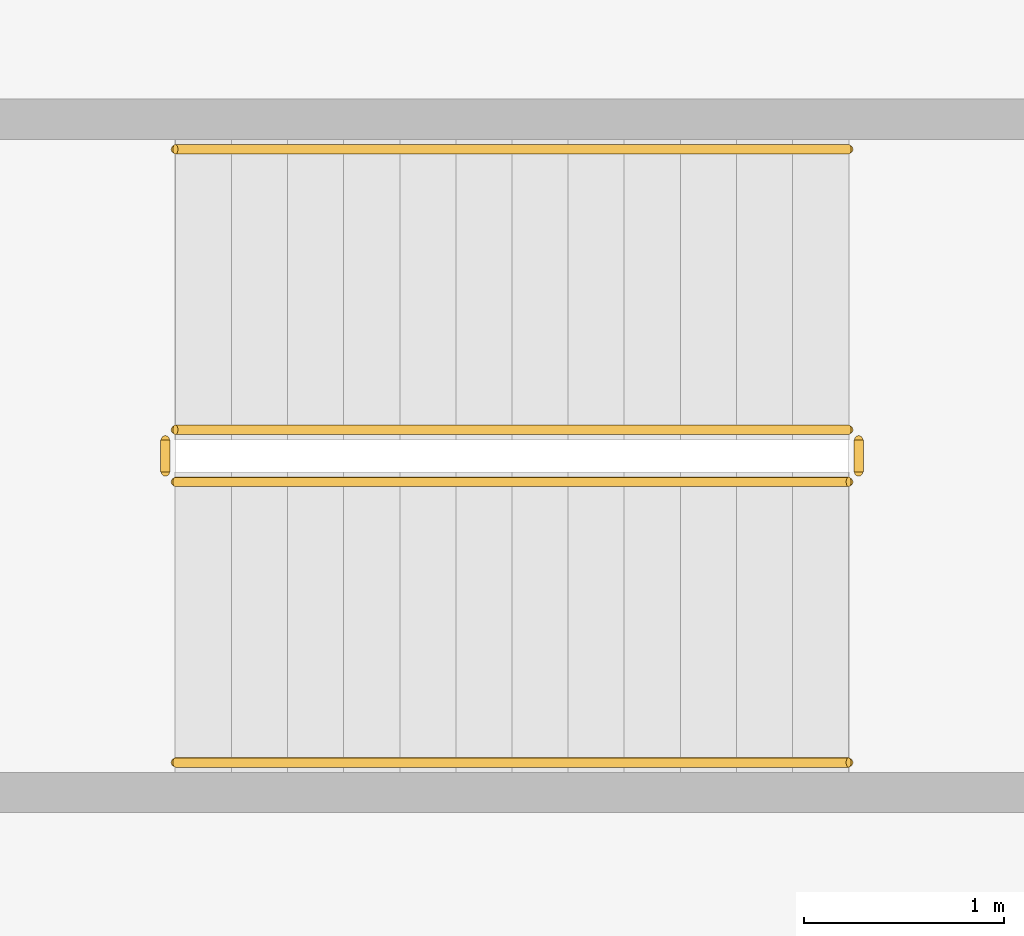
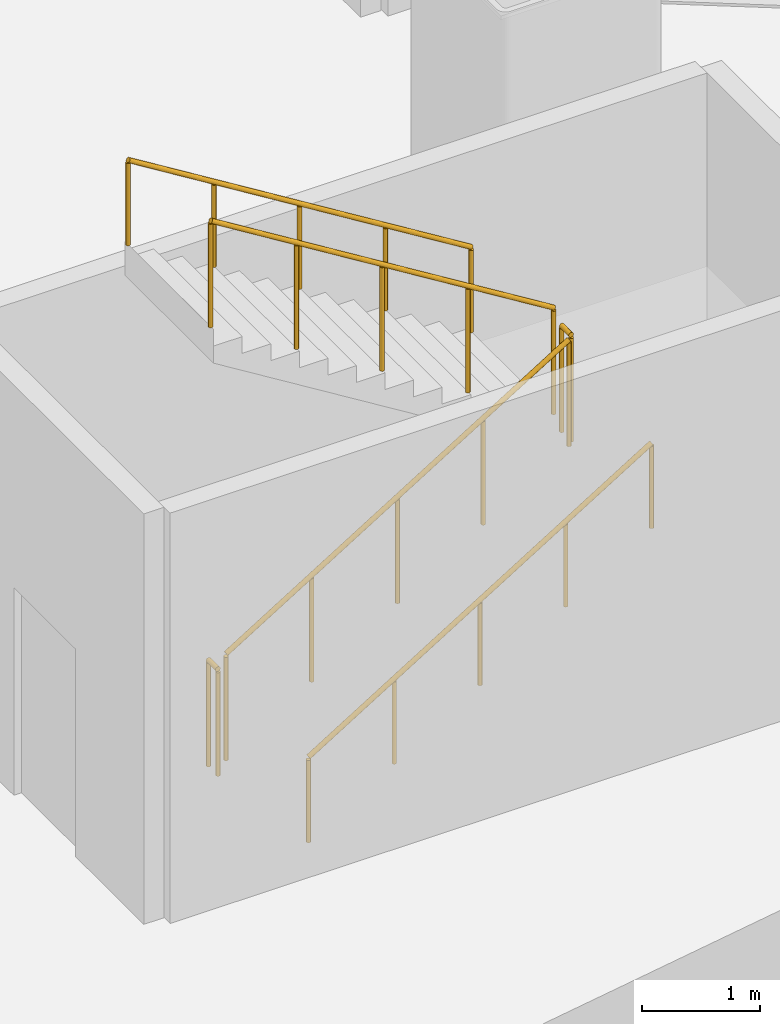
# One storey, part 6 of 10: 6 railings.
"""IFC4 building model written with IfcOpenShell, lengths in metres."""

from ifc_helpers import new_model, si_unit, direction, frame, origin, origin_2d, place, context, subcontext, project, spatial, circle, extrude, material, type_object, element, save


model = new_model("IFC4")

# Units and contexts
model_context = context("Model", 3, precision=1e-05, world=origin(), true_north=direction((0.0, 1.0)))
body_context = subcontext(model_context, "Body", "Model", "MODEL_VIEW")
ifc_project = project(units=[si_unit("LENGTHUNIT", "METRE"), si_unit("AREAUNIT", "SQUARE_METRE"), si_unit("VOLUMEUNIT", "CUBIC_METRE"), si_unit("PLANEANGLEUNIT", "RADIAN"), si_unit("MASSUNIT", "GRAM", prefix="KILO"), si_unit("THERMODYNAMICTEMPERATUREUNIT", "KELVIN")], contexts=[model_context])

# Site, building, storey
site_placement = place(None, origin())
site = spatial("IfcSite", under=ifc_project, at=site_placement, CompositionType="ELEMENT")
building_placement = place(site_placement, origin())
building = spatial("IfcBuilding", under=site, at=building_placement, Name="Kethvar Cultural Tower", CompositionType="ELEMENT")
storey_placement = place(building_placement, frame((0.0, 0.0, -4.5)))
storey = spatial("IfcBuildingStorey", under=building, at=storey_placement, Name="B01", CompositionType="ELEMENT", Elevation=-4.5)

# Railings
ifc_material = material(Name="Steel S355J2", Category="steel")
railing_type_1 = type_object("IfcRailingType", Name="RL-STAIR-GUARD", PredefinedType="BALUSTRADE", material=ifc_material)
railing_1_placement = place(storey_placement, frame((19.5, 9.050048828125, 0.173095703125)))
element("IfcRailing", 1, at=railing_1_placement, inside=storey, type_object=railing_type_1, Name="B01 ST-04 stair guard 1", PredefinedType="BALUSTRADE", context=body_context, shape_type="SweptSolid", body=[
    extrude(circle(Radius=0.02392578125, at=origin_2d()), frame((0.0, 0.0, 1.09619140625), z_axis=(0.850623216509, 0.0, 0.525775754039), x_axis=(0.0, 1.0, 0.0)), (0.0, 0.0, 1.0), 3.9501953125),
    extrude(circle(Radius=0.02099609375, at=origin_2d()), origin(), (0.0, 0.0, 1.0), 1.072021484375),
    extrude(circle(Radius=0.02099609375, at=origin_2d()), frame((0.840087890625, 0.0, 0.519287109375)), (0.0, 0.0, 1.0), 1.072021484375),
    extrude(circle(Radius=0.02099609375, at=origin_2d()), frame((1.68017578125, 0.0, 1.03857421875)), (0.0, 0.0, 1.0), 1.072021484375),
    extrude(circle(Radius=0.02099609375, at=origin_2d()), frame((2.52001953125, 0.0, 1.5576171875)), (0.0, 0.0, 1.0), 1.072021484375),
    extrude(circle(Radius=0.02099609375, at=origin_2d()), frame((3.360107421875, 0.0, 2.076904296875)), (0.0, 0.0, 1.0), 1.072021484375),
])
railing_2_placement = place(storey_placement, frame((22.909912109375, 9.10009765625, 2.25)))
element("IfcRailing", 2, at=railing_2_placement, inside=storey, type_object=railing_type_1, Name="B01 ST-04 stair guard 2", PredefinedType="BALUSTRADE", context=body_context, shape_type="SweptSolid", body=[
    extrude(circle(Radius=0.02392578125, at=origin_2d()), frame((0.0, 0.0, 1.09619140625), z_axis=(0.0, 1.0, 0.0), x_axis=(-1.0, 0.0, 0.0)), (0.0, 0.0, 1.0), 0.159912109375),
    extrude(circle(Radius=0.02099609375, at=origin_2d()), origin(), (0.0, 0.0, 1.0), 1.072021484375),
    extrude(circle(Radius=0.02099609375, at=origin_2d()), frame((0.0, 0.159912109375, 0.0)), (0.0, 0.0, 1.0), 1.072021484375),
])
railing_3_placement = place(storey_placement, frame((22.860107421875, 9.31005859375, 2.423095703125)))
element("IfcRailing", 3, at=railing_3_placement, inside=storey, type_object=railing_type_1, Name="B01 ST-04 stair guard 3", PredefinedType="BALUSTRADE", context=body_context, shape_type="SweptSolid", body=[
    extrude(circle(Radius=0.02392578125, at=origin_2d()), frame((0.0, 0.0, 1.09619140625), z_axis=(-0.850623216509, 0.0, 0.525775754039), x_axis=(0.0, -1.0, 0.0)), (0.0, 0.0, 1.0), 3.9501953125),
    extrude(circle(Radius=0.02099609375, at=origin_2d()), origin(), (0.0, 0.0, 1.0), 1.072021484375),
    extrude(circle(Radius=0.02099609375, at=origin_2d()), frame((-0.840087890625, 0.0, 0.519287109375)), (0.0, 0.0, 1.0), 1.072021484375),
    extrude(circle(Radius=0.02099609375, at=origin_2d()), frame((-1.68017578125, 0.0, 1.03857421875)), (0.0, 0.0, 1.0), 1.072021484375),
    extrude(circle(Radius=0.02099609375, at=origin_2d()), frame((-2.52001953125, 0.0, 1.5576171875)), (0.0, 0.0, 1.0), 1.072021484375),
    extrude(circle(Radius=0.02099609375, at=origin_2d()), frame((-3.360107421875, 0.0, 2.076904296875)), (0.0, 0.0, 1.0), 1.072021484375),
])
railing_4_placement = place(storey_placement, frame((19.449951171875, 9.10009765625, 0.0)))
element("IfcRailing", 4, at=railing_4_placement, inside=storey, type_object=railing_type_1, Name="B01 ST-04 stair guard 4", PredefinedType="BALUSTRADE", context=body_context, shape_type="SweptSolid", body=[
    extrude(circle(Radius=0.02392578125, at=origin_2d()), frame((0.0, 0.0, 1.09619140625), z_axis=(0.0, 1.0, 0.0), x_axis=(-1.0, 0.0, 0.0)), (0.0, 0.0, 1.0), 0.159912109375),
    extrude(circle(Radius=0.02099609375, at=origin_2d()), origin(), (0.0, 0.0, 1.0), 1.072021484375),
    extrude(circle(Radius=0.02099609375, at=origin_2d()), frame((0.0, 0.159912109375, 0.0)), (0.0, 0.0, 1.0), 1.072021484375),
])
railing_type_2 = type_object("IfcRailingType", Name="RL-STAIR-HANDRAIL", PredefinedType="HANDRAIL", material=ifc_material)
railing_5_placement = place(storey_placement, frame((19.5, 7.64990234375, 0.173095703125)))
element("IfcRailing", 5, at=railing_5_placement, inside=storey, type_object=railing_type_2, Name="B01 ST-04 stair handrail 1", PredefinedType="HANDRAIL", context=body_context, shape_type="SweptSolid", body=[
    extrude(circle(Radius=0.02392578125, at=origin_2d()), frame((0.0, 0.0, 0.8759765625), z_axis=(0.850623216509, 0.0, 0.525775754039), x_axis=(0.0, 1.0, 0.0)), (0.0, 0.0, 1.0), 3.9501953125),
    extrude(circle(Radius=0.02099609375, at=origin_2d()), origin(), (0.0, 0.0, 1.0), 0.851806640625),
    extrude(circle(Radius=0.02099609375, at=origin_2d()), frame((0.840087890625, 0.0, 0.519287109375)), (0.0, 0.0, 1.0), 0.851806640625),
    extrude(circle(Radius=0.02099609375, at=origin_2d()), frame((1.68017578125, 0.0, 1.03857421875)), (0.0, 0.0, 1.0), 0.851806640625),
    extrude(circle(Radius=0.02099609375, at=origin_2d()), frame((2.52001953125, 0.0, 1.5576171875)), (0.0, 0.0, 1.0), 0.851806640625),
    extrude(circle(Radius=0.02099609375, at=origin_2d()), frame((3.360107421875, 0.0, 2.076904296875)), (0.0, 0.0, 1.0), 0.851806640625),
])
railing_6_placement = place(storey_placement, frame((22.860107421875, 10.7099609375, 2.423095703125)))
element("IfcRailing", 6, at=railing_6_placement, inside=storey, type_object=railing_type_2, Name="B01 ST-04 stair handrail 2", PredefinedType="HANDRAIL", context=body_context, shape_type="SweptSolid", body=[
    extrude(circle(Radius=0.02392578125, at=origin_2d()), frame((0.0, 0.0, 0.8759765625), z_axis=(-0.850623216509, 0.0, 0.525775754039), x_axis=(0.0, -1.0, 0.0)), (0.0, 0.0, 1.0), 3.9501953125),
    extrude(circle(Radius=0.02099609375, at=origin_2d()), origin(), (0.0, 0.0, 1.0), 0.851806640625),
    extrude(circle(Radius=0.02099609375, at=origin_2d()), frame((-0.840087890625, 0.0, 0.519287109375)), (0.0, 0.0, 1.0), 0.851806640625),
    extrude(circle(Radius=0.02099609375, at=origin_2d()), frame((-1.68017578125, 0.0, 1.03857421875)), (0.0, 0.0, 1.0), 0.851806640625),
    extrude(circle(Radius=0.02099609375, at=origin_2d()), frame((-2.52001953125, 0.0, 1.5576171875)), (0.0, 0.0, 1.0), 0.851806640625),
    extrude(circle(Radius=0.02099609375, at=origin_2d()), frame((-3.360107421875, 0.0, 2.076904296875)), (0.0, 0.0, 1.0), 0.851806640625),
])

save(model, "model.ifc")
